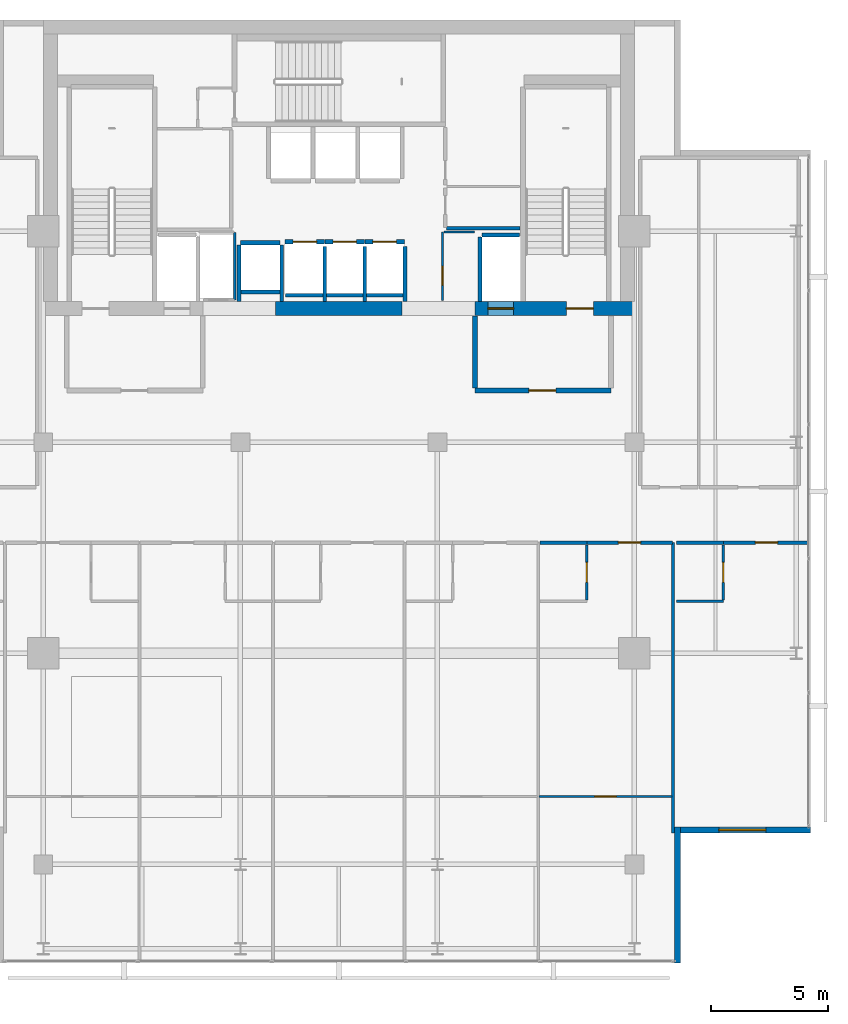
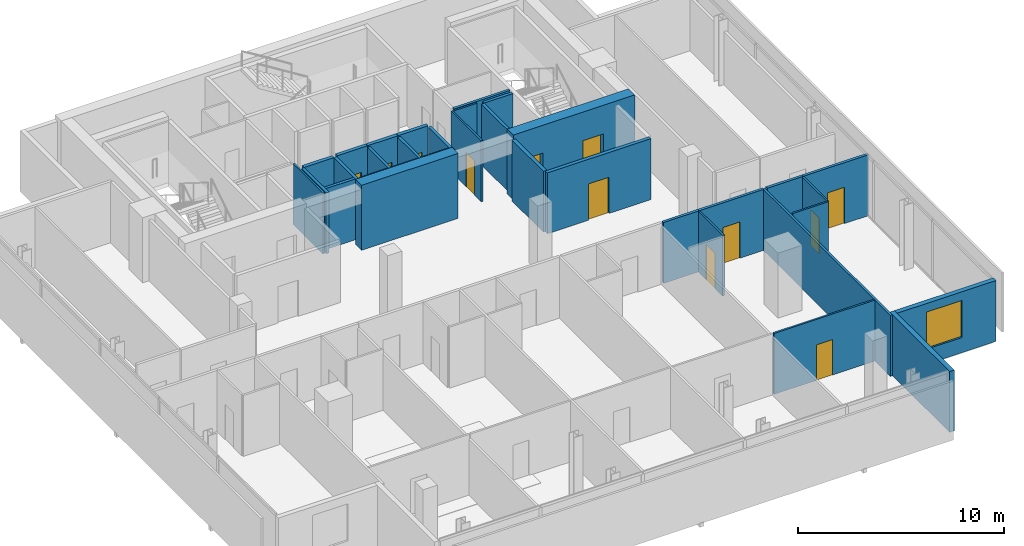
# One storey, part 18 of 24: 32 walls, 12 doors, 1 window, 13 openings.
"""IFC4 building model written with IfcOpenShell, lengths in metres."""

import ifcopenshell
import ifcopenshell.guid

model = None  # the IFC model being written
_history = None  # IfcOwnerHistory: only IFC2X3 demands one
_inside = {}  # id of a spatial element -> (the spatial element, [elements in it])
_under = {}  # id of a project, library or spatial element -> (it, [spatial elements below it])
_declared = {}  # id of a project -> (the project, [libraries it declares])
_typed = {}  # id of a type object -> (the type object, [elements of that type])
_made_of = {}  # id of a material, layer set ... -> (it, [elements and type objects made of it])


def new_model(schema):
    """Start an empty IFC model of exactly this schema.

    Asked for "IFC4X3", IfcOpenShell would pick the latest addendum, in which some entities
    have other attributes; the version numbers below select the first issue.
    IFC2X3 requires an IfcOwnerHistory on every rooted entity: one is made here for all.
    """
    global model, _history
    if schema == "IFC4X3":
        model = ifcopenshell.file(schema_version=(4, 3, 0, 0))
    else:
        model = ifcopenshell.file(schema=schema)
    _inside.clear()
    _under.clear()
    _declared.clear()
    _typed.clear()
    _made_of.clear()
    _history = None
    if model.schema == "IFC2X3":
        org = make("IfcOrganization", Name="unknown")
        user = make(
            "IfcPersonAndOrganization",
            ThePerson=make("IfcPerson", FamilyName="unknown"),
            TheOrganization=org,
        )
        app = make(
            "IfcApplication",
            ApplicationDeveloper=org,
            Version="unknown",
            ApplicationFullName="unknown",
            ApplicationIdentifier="unknown",
        )
        _history = make(
            "IfcOwnerHistory",
            OwningUser=user,
            OwningApplication=app,
            ChangeAction="ADDED",
            CreationDate=0,
        )
    return model


def make(cls, **values):
    """One entity of the class cls with the attributes given. An attribute that is None is left unset."""
    return model.create_entity(
        cls, **{name: value for name, value in values.items() if value is not None}
    )


def rooted(cls, **values):
    """An entity with a GlobalId (a new one), such as an element, a storey or a relation."""
    return make(cls, GlobalId=ifcopenshell.guid.new(), OwnerHistory=_history, **values)


def si_unit(unit_type, name, prefix=None):
    """IfcSIUnit, for example si_unit("LENGTHUNIT", "METRE", prefix="MILLI")."""
    return make("IfcSIUnit", UnitType=unit_type, Prefix=prefix, Name=name)


def assignment(units):
    """IfcUnitAssignment: the units of a project."""
    return None if units is None else make("IfcUnitAssignment", Units=units)


def point(xyz):
    """IfcCartesianPoint."""
    return None if xyz is None else make("IfcCartesianPoint", Coordinates=xyz)


def direction(xyz):
    """IfcDirection."""
    return None if xyz is None else make("IfcDirection", DirectionRatios=xyz)


def frame(location, z_axis=None, x_axis=None):
    """IfcAxis2Placement3D, a coordinate frame: its origin and axes. An axis left out is left unset."""
    return make(
        "IfcAxis2Placement3D",
        Location=point(location),
        Axis=direction(z_axis),
        RefDirection=direction(x_axis),
    )


def frame_2d(location, x_axis=None):
    """IfcAxis2Placement2D, a coordinate frame in the plane: its origin and x axis."""
    return make(
        "IfcAxis2Placement2D", Location=point(location), RefDirection=direction(x_axis)
    )


def origin():
    """The frame at (0, 0, 0) with its axes left unset."""
    return frame((0.0, 0.0, 0.0))


def place(relative_to, where):
    """IfcLocalPlacement: puts the frame where relative to a parent placement (None: the world)."""
    return make(
        "IfcLocalPlacement", PlacementRelTo=relative_to, RelativePlacement=where
    )


def context(
    kind, dimensions, precision=None, world=None, true_north=None, identifier=None
):
    """IfcGeometricRepresentationContext, for example the 3D "Model" context."""
    return make(
        "IfcGeometricRepresentationContext",
        ContextIdentifier=identifier,
        ContextType=kind,
        CoordinateSpaceDimension=dimensions,
        Precision=precision,
        WorldCoordinateSystem=world,
        TrueNorth=true_north,
    )


def subcontext(parent, identifier, kind, view, scale=None):
    """IfcGeometricRepresentationSubContext, for example "Body" below "Model"."""
    return make(
        "IfcGeometricRepresentationSubContext",
        ContextIdentifier=identifier,
        ContextType=kind,
        ParentContext=parent,
        TargetScale=scale,
        TargetView=view,
    )


def project(units=None, contexts=None):
    """IfcProject with its units and contexts."""
    return rooted(
        "IfcProject",
        Name="project",
        RepresentationContexts=contexts,
        UnitsInContext=assignment(units),
    )


def spatial(cls, under=None, at=None, **own):
    """A site, building, storey or space (cls), placed at a placement, below another one or the project."""
    s = rooted(cls, ObjectPlacement=at, **own)
    if under is not None:
        _under.setdefault(under.id(), (under, []))[1].append(s)
    return s


def profile(cls, at=None, kind="AREA", **sizes):
    """A parametric profile (cls). Its sizes go by their IFC names, for example OverallWidth=200.0."""
    return make(cls, ProfileType=kind, Position=at, **sizes)


def rectangle(**sizes):
    """IfcRectangleProfileDef."""
    return profile("IfcRectangleProfileDef", **sizes)


def extrude(swept, where, along, depth):
    """IfcExtrudedAreaSolid: the profile swept, set in the frame where, extruded along a direction by depth."""
    return make(
        "IfcExtrudedAreaSolid",
        SweptArea=swept,
        Position=where,
        ExtrudedDirection=direction(along),
        Depth=depth,
    )


def shape(context_of_items, identifier, shape_type, items):
    """IfcShapeRepresentation: the items that make up one representation, for example the "Body"."""
    return make(
        "IfcShapeRepresentation",
        ContextOfItems=context_of_items,
        RepresentationIdentifier=identifier,
        RepresentationType=shape_type,
        Items=items,
    )


def material(Name=None, Category=None):
    """IfcMaterial."""
    return make("IfcMaterial", Name=Name, Category=Category)


def layer(
    of_material, thickness, ventilated=None, Name=None, Category=None, Priority=None
):
    """IfcMaterialLayer: one layer of a wall or slab, of a material (None: an air gap)."""
    return make(
        "IfcMaterialLayer",
        Material=of_material,
        LayerThickness=thickness,
        IsVentilated=ventilated,
        Name=Name,
        Category=Category,
        Priority=Priority,
    )


def layer_set(layers, Name=None):
    """IfcMaterialLayerSet."""
    return make("IfcMaterialLayerSet", MaterialLayers=layers, LayerSetName=Name)


def made_of(thing, what):
    """Note that an element or type object is made of a material, layer set ...; save() writes the relation."""
    if what is not None:
        _made_of.setdefault(what.id(), (what, []))[1].append(thing)
    return thing


def type_object(cls, material=None, **own):
    """A type object (cls), such as IfcWallType, which elements share."""
    return made_of(rooted(cls, **own), material)


def element(
    cls,
    number,
    at=None,
    inside=None,
    cuts=None,
    type_object=None,
    material=None,
    context=None,
    identifier="Body",
    shape_type=None,
    held_by="IfcProductDefinitionShape",
    body=None,
    shapes=None,
    **own,
):
    """One element of the class cls, such as IfcWall. Its Tag is "e" and its number.

    at: its placement. inside: the storey or other place that contains it. cuts: it is an
    opening in that element (IfcRelVoidsElement). A single representation is given by context,
    identifier, shape_type and body (its items); several are given by shapes. held_by: the class
    of the entity that holds the representations. save() writes the other relations.
    """
    e = rooted(cls, Tag="e%d" % number, ObjectPlacement=at, **own)
    if body is not None:
        shapes = [shape(context, identifier, shape_type, body)]
    if shapes is not None:
        e.Representation = make(held_by, Representations=shapes)
    if inside is not None:
        _inside.setdefault(inside.id(), (inside, []))[1].append(e)
    if cuts is not None:
        rooted(
            "IfcRelVoidsElement", RelatingBuildingElement=cuts, RelatedOpeningElement=e
        )
    if type_object is not None:
        _typed.setdefault(type_object.id(), (type_object, []))[1].append(e)
    return made_of(e, material)


def fill(opening, filler):
    """IfcRelFillsElement: the door or window that sits in an opening."""
    return rooted(
        "IfcRelFillsElement",
        RelatingOpeningElement=opening,
        RelatedBuildingElement=filler,
    )


def aggregate(whole, parts):
    """IfcRelAggregates: a whole, such as a stair, and the parts it consists of."""
    return rooted("IfcRelAggregates", RelatingObject=whole, RelatedObjects=parts)


def save(model, path):
    """Write the relations noted so far, then the file.

    IfcRelAggregates (storeys below a building ...), IfcRelContainedInSpatialStructure (elements
    in a storey), IfcRelDefinesByType, IfcRelAssociatesMaterial and IfcRelDeclares: one each for
    every whole, place, type object, material and project.
    """
    for whole, parts in _under.values():
        aggregate(whole, parts)
    for where, things in _inside.values():
        rooted(
            "IfcRelContainedInSpatialStructure",
            RelatedElements=things,
            RelatingStructure=where,
        )
    for kind, things in _typed.values():
        rooted("IfcRelDefinesByType", RelatedObjects=things, RelatingType=kind)
    for what, things in _made_of.values():
        rooted("IfcRelAssociatesMaterial", RelatedObjects=things, RelatingMaterial=what)
    for by, libraries in _declared.values():
        rooted("IfcRelDeclares", RelatingContext=by, RelatedDefinitions=libraries)
    model.write(path)


model = new_model("IFC4")

# Units and contexts
model_context = context("Model", 3, precision=1e-05, world=origin(), true_north=direction((0.0, 1.0)))
body_context = subcontext(model_context, "Body", "Model", "MODEL_VIEW")
ifc_project = project(units=[si_unit("LENGTHUNIT", "METRE"), si_unit("AREAUNIT", "SQUARE_METRE"), si_unit("VOLUMEUNIT", "CUBIC_METRE"), si_unit("PLANEANGLEUNIT", "RADIAN"), si_unit("MASSUNIT", "GRAM", prefix="KILO")], contexts=[model_context])

# Site, building, storey
site_placement = place(None, origin())
site = spatial("IfcSite", under=ifc_project, at=site_placement, CompositionType="ELEMENT")
building_placement = place(site_placement, origin())
building = spatial("IfcBuilding", under=site, at=building_placement, Name="Maruvema Waterfront Hotel and Observation Tower", CompositionType="ELEMENT")
storey_placement = place(building_placement, frame((0.0, 0.0, 333.550048828125)))
storey = spatial("IfcBuildingStorey", under=building, at=storey_placement, Name="L82", CompositionType="ELEMENT", Elevation=333.550048828125)

# Walls
ifc_material_1 = material(Name="Twin-stud acoustic gypsum drywall", Category="gypsum")
ifc_layer_1 = layer(ifc_material_1, 0.14990234375, Name="Acoustic Corridor and Suite Demising Wall 150 mm")
ifc_layer_set_1 = layer_set([ifc_layer_1], Name="Twin-stud acoustic gypsum drywall")
wall_type_1 = type_object("IfcWallType", Name="Acoustic Corridor and Suite Demising Wall 150 mm", PredefinedType="PARTITIONING", material=ifc_layer_set_1)
wall_1_placement = place(storey_placement, frame((42.3798828125, 45.1201171875, 0.0), z_axis=(0.0, 0.0, 1.0), x_axis=(1.0, 0.0, 0.0)))
element("IfcWall", 1, at=wall_1_placement, inside=storey, type_object=wall_type_1, Name="L82 Freed B2 South Wall 020", PredefinedType="PARTITIONING", context=body_context, shape_type="SweptSolid", body=[
    extrude(rectangle(XDim=3.14013671875, YDim=0.14990234375, at=frame_2d((1.570068359375, 0.0))), origin(), (0.0, 0.0, 1.0), 3.60986328125),
])
wall_2_placement = place(storey_placement, frame((46.3798828125, 31.719970703125, 0.0), z_axis=(0.0, 0.0, 1.0), x_axis=(1.0, 0.0, 0.0)))
element("IfcWall", 2, at=wall_2_placement, inside=storey, type_object=wall_type_1, Name="L82 Bath L82-SK5 Back Wall 059", PredefinedType="PARTITIONING", context=body_context, shape_type="SweptSolid", body=[
    extrude(rectangle(XDim=1.990234375, YDim=0.14990234375, at=frame_2d((0.9951171875, 0.0))), origin(), (0.0, 0.0, 1.0), 3.60986328125),
])

# Wall, opening, door
wall_3_placement = place(storey_placement, frame((48.3701171875, 31.719970703125, 0.0), z_axis=(0.0, 0.0, 1.0), x_axis=(1.0, 0.0, 0.0)))
wall_3 = element("IfcWall", 3, at=wall_3_placement, inside=storey, type_object=wall_type_1, Name="L82 Unit L82-SK5 Corridor Wall 062", PredefinedType="PARTITIONING", context=body_context, shape_type="SweptSolid", body=[
    extrude(rectangle(XDim=3.6474609375, YDim=0.14990234375, at=frame_2d((1.82373046875, 0.0))), origin(), (0.0, 0.0, 1.0), 3.60986328125),
])
opening_1_placement = place(wall_3_placement, frame((1.348876953125, 0.0, 0.0)))
opening_1 = element("IfcOpeningElement", 4, at=opening_1_placement, cuts=wall_3, Name="Opening DR-095", PredefinedType="OPENING", context=body_context, shape_type="SweptSolid", body=[
    extrude(rectangle(XDim=0.949951171875, YDim=2.14990234375, at=frame_2d((0.47509765625, 1.074951171875))), frame((0.0, 0.0849609375, 0.0), z_axis=(0.0, -1.0, 0.0), x_axis=(1.0, 0.0, 0.0)), (0.0, 0.0, 1.0), 0.169921875),
])
ifc_material_2 = material(Name="Acoustic solid-core hardwood timber leaf", Category="wood")
door_type_1 = type_object("IfcDoorType", Name="Guestroom Entrance Fire Door 950x2150 mm", OperationType="NOTDEFINED", PredefinedType="DOOR", material=ifc_material_2)
door_1_placement = place(opening_1_placement, frame((0.949951171875, 0.0, 0.0), z_axis=(0.0, 0.0, 1.0), x_axis=(-1.0, 0.0, 0.0)))
door_1 = element("IfcDoor", 5, at=door_1_placement, inside=storey, type_object=door_type_1, Name="L82 Unit L82-SK5 Entrance Door", OperationType="SINGLE_SWING_LEFT", OverallHeight=2.14990234375, OverallWidth=0.949951171875, PredefinedType="DOOR", context=body_context, shape_type="SweptSolid", body=[
    extrude(rectangle(XDim=0.949951171875, YDim=2.14990234375, at=frame_2d((0.47509765625, 1.074951171875))), frame((0.0, 0.02490234375, 0.0), z_axis=(0.0, -1.0, 0.0), x_axis=(1.0, 0.0, 0.0)), (0.0, 0.0, 1.0), 0.050048828125),
])
fill(opening_1, door_1)

# Wall
wall_4_placement = place(storey_placement, frame((52.18994140625, 31.719970703125, 0.0), z_axis=(0.0, 0.0, 1.0), x_axis=(1.0, 0.0, 0.0)))
element("IfcWall", 6, at=wall_4_placement, inside=storey, type_object=wall_type_1, Name="L82 Bath L82-SKE Back Wall 068", PredefinedType="PARTITIONING", context=body_context, shape_type="SweptSolid", body=[
    extrude(rectangle(XDim=2.0, YDim=0.14990234375, at=frame_2d((1.0, 0.0))), origin(), (0.0, 0.0, 1.0), 3.60986328125),
])

# Wall, opening, door
wall_5_placement = place(storey_placement, frame((54.18994140625, 31.719970703125, 0.0), z_axis=(0.0, 0.0, 1.0), x_axis=(1.0, 0.0, 0.0)))
wall_5 = element("IfcWall", 7, at=wall_5_placement, inside=storey, type_object=wall_type_1, Name="L82 Unit L82-SKE Corridor Wall 071", PredefinedType="PARTITIONING", context=body_context, shape_type="SweptSolid", body=[
    extrude(rectangle(XDim=3.68017578125, YDim=0.14990234375, at=frame_2d((1.840087890625, 0.0))), origin(), (0.0, 0.0, 1.0), 3.60986328125),
])
opening_2_placement = place(wall_5_placement, frame((1.364990234375, 0.0, 0.0)))
opening_2 = element("IfcOpeningElement", 8, at=opening_2_placement, cuts=wall_5, Name="Opening DR-095", PredefinedType="OPENING", context=body_context, shape_type="SweptSolid", body=[
    extrude(rectangle(XDim=0.949951171875, YDim=2.14990234375, at=frame_2d((0.47509765625, 1.074951171875))), frame((0.0, 0.0849609375, 0.0), z_axis=(0.0, -1.0, 0.0), x_axis=(1.0, 0.0, 0.0)), (0.0, 0.0, 1.0), 0.169921875),
])
door_2_placement = place(opening_2_placement, frame((0.949951171875, 0.0, 0.0), z_axis=(0.0, 0.0, 1.0), x_axis=(-1.0, 0.0, 0.0)))
door_2 = element("IfcDoor", 9, at=door_2_placement, inside=storey, type_object=door_type_1, Name="L82 Unit L82-SKE Entrance Door", OperationType="SINGLE_SWING_RIGHT", OverallHeight=2.14990234375, OverallWidth=0.949951171875, PredefinedType="DOOR", context=body_context, shape_type="SweptSolid", body=[
    extrude(rectangle(XDim=0.949951171875, YDim=2.14990234375, at=frame_2d((0.47509765625, 1.074951171875))), frame((0.0, 0.02490234375, 0.0), z_axis=(0.0, -1.0, 0.0), x_axis=(1.0, 0.0, 0.0)), (0.0, 0.0, 1.0), 0.050048828125),
])
fill(opening_2, door_2)

ifc_material_3 = material(Name="Precast concrete C45/55", Category="concrete")
ifc_layer_2 = layer(ifc_material_3, 0.199951171875, Name="Core Shaft and Stairwell Enclosure Wall 200 mm")
ifc_layer_set_2 = layer_set([ifc_layer_2], Name="Precast concrete C45/55")
wall_type_2 = type_object("IfcWallType", Name="Core Shaft and Stairwell Enclosure Wall 200 mm", PredefinedType="SOLIDWALL", material=ifc_layer_set_2)
wall_6_placement = place(storey_placement, frame((35.510009765625, 44.550048828125, 0.0), z_axis=(0.0, 0.0, 1.0), x_axis=(1.0, 0.0, 0.0)))
wall_6 = element("IfcWall", 10, at=wall_6_placement, inside=storey, type_object=wall_type_2, Name="L82 Lift LF-09 Hoistway Front Wall", PredefinedType="SOLIDWALL", context=body_context, shape_type="SweptSolid", body=[
    extrude(rectangle(XDim=1.679931640625, YDim=0.199951171875, at=frame_2d((0.83984375, 0.0))), origin(), (0.0, 0.0, 1.0), 3.60986328125),
])
opening_3_placement = place(wall_6_placement, frame((0.340087890625, 0.0, 0.0)))
opening_3 = element("IfcOpeningElement", 11, at=opening_3_placement, cuts=wall_6, Name="Opening LD-01", PredefinedType="OPENING", context=body_context, shape_type="SweptSolid", body=[
    extrude(rectangle(XDim=1.0, YDim=2.14990234375, at=frame_2d((0.5, 1.074951171875))), frame((0.0, 0.10986328125, 0.0), z_axis=(0.0, -1.0, 0.0), x_axis=(1.0, 0.0, 0.0)), (0.0, 0.0, 1.0), 0.219970703125),
])
ifc_material_4 = material(Name="Brushed stainless steel Grade 316", Category="steel")
door_type_2 = type_object("IfcDoorType", Name="Passenger Lift Sliding Landing Door 1000x2150 mm", OperationType="SLIDING_TO_LEFT", PredefinedType="DOOR", material=ifc_material_4)
door_3_placement = place(opening_3_placement, origin())
door_3 = element("IfcDoor", 12, at=door_3_placement, inside=storey, type_object=door_type_2, Name="L82 Lift LF-09 Sliding Landing Door", OperationType="SLIDING_TO_LEFT", OverallHeight=2.14990234375, OverallWidth=1.0, PredefinedType="DOOR", context=body_context, shape_type="SweptSolid", body=[
    extrude(rectangle(XDim=1.0, YDim=2.14990234375, at=frame_2d((0.5, 1.074951171875))), frame((0.0, 0.02490234375, 0.0), z_axis=(0.0, -1.0, 0.0), x_axis=(1.0, 0.0, 0.0)), (0.0, 0.0, 1.0), 0.050048828125),
])
fill(opening_3, door_3)

wall_7_placement = place(storey_placement, frame((37.2099609375, 44.550048828125, 0.0), z_axis=(0.0, 0.0, 1.0), x_axis=(1.0, 0.0, 0.0)))
wall_7 = element("IfcWall", 13, at=wall_7_placement, inside=storey, type_object=wall_type_2, Name="L82 Lift LF-10 Hoistway Front Wall", PredefinedType="SOLIDWALL", context=body_context, shape_type="SweptSolid", body=[
    extrude(rectangle(XDim=1.679931640625, YDim=0.199951171875, at=frame_2d((0.83984375, 0.0))), origin(), (0.0, 0.0, 1.0), 3.60986328125),
])
opening_4_placement = place(wall_7_placement, frame((0.340087890625, 0.0, 0.0)))
opening_4 = element("IfcOpeningElement", 14, at=opening_4_placement, cuts=wall_7, Name="Opening LD-01", PredefinedType="OPENING", context=body_context, shape_type="SweptSolid", body=[
    extrude(rectangle(XDim=1.0, YDim=2.14990234375, at=frame_2d((0.5, 1.074951171875))), frame((0.0, 0.10986328125, 0.0), z_axis=(0.0, -1.0, 0.0), x_axis=(1.0, 0.0, 0.0)), (0.0, 0.0, 1.0), 0.219970703125),
])
door_4_placement = place(opening_4_placement, origin())
door_4 = element("IfcDoor", 15, at=door_4_placement, inside=storey, type_object=door_type_2, Name="L82 Lift LF-10 Sliding Landing Door", OperationType="SLIDING_TO_LEFT", OverallHeight=2.14990234375, OverallWidth=1.0, PredefinedType="DOOR", context=body_context, shape_type="SweptSolid", body=[
    extrude(rectangle(XDim=1.0, YDim=2.14990234375, at=frame_2d((0.5, 1.074951171875))), frame((0.0, 0.02490234375, 0.0), z_axis=(0.0, -1.0, 0.0), x_axis=(1.0, 0.0, 0.0)), (0.0, 0.0, 1.0), 0.050048828125),
])
fill(opening_4, door_4)

wall_8_placement = place(storey_placement, frame((38.909912109375, 44.550048828125, 0.0), z_axis=(0.0, 0.0, 1.0), x_axis=(1.0, 0.0, 0.0)))
wall_8 = element("IfcWall", 16, at=wall_8_placement, inside=storey, type_object=wall_type_2, Name="L82 Lift LF-11 Hoistway Front Wall", PredefinedType="SOLIDWALL", context=body_context, shape_type="SweptSolid", body=[
    extrude(rectangle(XDim=1.68017578125, YDim=0.199951171875, at=frame_2d((0.840087890625, 0.0))), origin(), (0.0, 0.0, 1.0), 3.60986328125),
])
opening_5_placement = place(wall_8_placement, frame((0.340087890625, 0.0, 0.0)))
opening_5 = element("IfcOpeningElement", 17, at=opening_5_placement, cuts=wall_8, Name="Opening LD-01", PredefinedType="OPENING", context=body_context, shape_type="SweptSolid", body=[
    extrude(rectangle(XDim=1.0, YDim=2.14990234375, at=frame_2d((0.5, 1.074951171875))), frame((0.0, 0.10986328125, 0.0), z_axis=(0.0, -1.0, 0.0), x_axis=(1.0, 0.0, 0.0)), (0.0, 0.0, 1.0), 0.219970703125),
])
door_5_placement = place(opening_5_placement, origin())
door_5 = element("IfcDoor", 18, at=door_5_placement, inside=storey, type_object=door_type_2, Name="L82 Lift LF-11 Sliding Landing Door", OperationType="SLIDING_TO_LEFT", OverallHeight=2.14990234375, OverallWidth=1.0, PredefinedType="DOOR", context=body_context, shape_type="SweptSolid", body=[
    extrude(rectangle(XDim=1.0, YDim=2.14990234375, at=frame_2d((0.5, 1.074951171875))), frame((0.0, 0.02490234375, 0.0), z_axis=(0.0, -1.0, 0.0), x_axis=(1.0, 0.0, 0.0)), (0.0, 0.0, 1.0), 0.050048828125),
])
fill(opening_5, door_5)

# Walls
wall_9_placement = place(storey_placement, frame((33.610107421875, 44.5, 0.0), z_axis=(0.0, 0.0, 1.0), x_axis=(1.0, 0.0, 0.0)))
element("IfcWall", 19, at=wall_9_placement, inside=storey, type_object=wall_type_2, Name="L82 Lift LF-15 Hoistway Front Wall", PredefinedType="SOLIDWALL", context=body_context, shape_type="SweptSolid", body=[
    extrude(rectangle(XDim=1.679931640625, YDim=0.199951171875, at=frame_2d((0.83984375, 0.0))), origin(), (0.0, 0.0, 1.0), 3.60986328125),
])
ifc_material_5 = material(Name="Concrete C60/75", Category="concrete")
ifc_layer_3 = layer(ifc_material_5, 0.60009765625, Name="Core Shear Wall 600 mm")
ifc_layer_set_3 = layer_set([ifc_layer_3], Name="Concrete C60/75")
wall_type_3 = type_object("IfcWallType", Name="Core Shear Wall 600 mm", PredefinedType="SHEAR", material=ifc_layer_set_3)
wall_10_placement = place(storey_placement, frame((35.10009765625, 41.699951171875, 0.0), z_axis=(0.0, 0.0, 1.0), x_axis=(1.0, 0.0, 0.0)))
element("IfcWall", 20, at=wall_10_placement, inside=storey, type_object=wall_type_3, Name="L82 South-Central Core Shear Wall", PredefinedType="SHEAR", context=body_context, shape_type="SweptSolid", body=[
    extrude(rectangle(XDim=5.39990234375, YDim=0.60009765625, at=frame_2d((2.699951171875, 0.0))), origin(), (0.0, 0.0, 1.0), 3.849853515625),
])

# Wall, openings, doors
wall_11_placement = place(storey_placement, frame((43.60009765625, 41.699951171875, 0.0), z_axis=(0.0, 0.0, 1.0), x_axis=(1.0, 0.0, 0.0)))
wall_11 = element("IfcWall", 21, at=wall_11_placement, inside=storey, type_object=wall_type_3, Name="L82 South-East Core Shear Wall", PredefinedType="SHEAR", context=body_context, shape_type="SweptSolid", body=[
    extrude(rectangle(XDim=6.7998046875, YDim=0.60009765625, at=frame_2d((3.39990234375, 0.0))), origin(), (0.0, 0.0, 1.0), 3.849853515625),
])
opening_6_placement = place(wall_11_placement, frame((3.89990234375, 0.0, 0.0)))
opening_6 = element("IfcOpeningElement", 22, at=opening_6_placement, cuts=wall_11, Name="Opening SD-01", PredefinedType="OPENING", context=body_context, shape_type="SweptSolid", body=[
    extrude(rectangle(XDim=1.14990234375, YDim=2.14990234375, at=frame_2d((0.574951171875, 1.074951171875))), frame((0.0, 0.31005859375, 0.0), z_axis=(0.0, -1.0, 0.0), x_axis=(1.0, 0.0, 0.0)), (0.0, 0.0, 1.0), 0.6201171875),
])
opening_7_placement = place(wall_11_placement, frame((0.550048828125, 0.0, 0.0)))
opening_7 = element("IfcOpeningElement", 23, at=opening_7_placement, cuts=wall_11, Name="Opening LD-03", PredefinedType="OPENING", context=body_context, shape_type="SweptSolid", body=[
    extrude(rectangle(XDim=1.10009765625, YDim=2.199951171875, at=frame_2d((0.550048828125, 1.10009765625))), frame((0.0, 0.31005859375, 0.0), z_axis=(0.0, -1.0, 0.0), x_axis=(1.0, 0.0, 0.0)), (0.0, 0.0, 1.0), 0.6201171875),
])
ifc_material_6 = material(Name="Fire-rated galvanised steel leaf", Category="steel")
door_type_3 = type_object("IfcDoorType", Name="Exit Stair Fire Door 1150x2150 mm", OperationType="NOTDEFINED", PredefinedType="DOOR", material=ifc_material_6)
door_6_placement = place(opening_6_placement, origin())
door_6 = element("IfcDoor", 24, at=door_6_placement, inside=storey, type_object=door_type_3, Name="L82 Exit Stair ST-03 Fire Door", OperationType="SINGLE_SWING_RIGHT", OverallHeight=2.14990234375, OverallWidth=1.14990234375, PredefinedType="DOOR", context=body_context, shape_type="SweptSolid", body=[
    extrude(rectangle(XDim=1.14990234375, YDim=2.14990234375, at=frame_2d((0.574951171875, 1.074951171875))), frame((0.0, 0.02490234375, 0.0), z_axis=(0.0, -1.0, 0.0), x_axis=(1.0, 0.0, 0.0)), (0.0, 0.0, 1.0), 0.050048828125),
])
fill(opening_6, door_6)
ifc_material_7 = material(Name="Brushed stainless steel Grade 316", Category="steel")
door_type_4 = type_object("IfcDoorType", Name="Firefighting Lift Sliding Landing Door 1100x2200 mm", OperationType="SLIDING_TO_LEFT", PredefinedType="DOOR", material=ifc_material_7)
door_7_placement = place(opening_7_placement, frame((1.10009765625, 0.0, 0.0), z_axis=(0.0, 0.0, 1.0), x_axis=(-1.0, 0.0, 0.0)))
door_7 = element("IfcDoor", 25, at=door_7_placement, inside=storey, type_object=door_type_4, Name="L82 Firefighting Lift FL-02 Landing Door", OperationType="SLIDING_TO_LEFT", OverallHeight=2.199951171875, OverallWidth=1.10009765625, PredefinedType="DOOR", context=body_context, shape_type="SweptSolid", body=[
    extrude(rectangle(XDim=1.10009765625, YDim=2.199951171875, at=frame_2d((0.550048828125, 1.10009765625))), frame((0.0, 0.02490234375, 0.0), z_axis=(0.0, -1.0, 0.0), x_axis=(1.0, 0.0, 0.0)), (0.0, 0.0, 1.0), 0.050048828125),
])
fill(opening_7, door_7)

# Wall
ifc_material_8 = material(Name="Moisture-resistant cement-board drywall", Category="gypsum")
ifc_layer_4 = layer(ifc_material_8, 0.10009765625, Name="En-Suite Moisture-Resistant Partition 100 mm")
ifc_layer_set_4 = layer_set([ifc_layer_4], Name="Moisture-resistant cement-board drywall")
wall_type_4 = type_object("IfcWallType", Name="En-Suite Moisture-Resistant Partition 100 mm", PredefinedType="PARTITIONING", material=ifc_layer_set_4)
wall_12_placement = place(storey_placement, frame((33.360107421875, 42.06005859375, 0.0), z_axis=(0.0, 0.0, 1.0), x_axis=(0.0, 1.0, 0.0)))
element("IfcWall", 26, at=wall_12_placement, inside=storey, type_object=wall_type_4, Name="L82 Telecom Riser East Wall 009", PredefinedType="PARTITIONING", context=body_context, shape_type="SweptSolid", body=[
    extrude(rectangle(XDim=2.8798828125, YDim=0.10009765625, at=frame_2d((1.43994140625, 0.0))), origin(), (0.0, 0.0, 1.0), 3.60986328125),
])

# Wall, opening, door
wall_13_placement = place(storey_placement, frame((42.219970703125, 42.050048828125, 0.0), z_axis=(0.0, 0.0, 1.0), x_axis=(0.0, 1.0, 0.0)))
wall_13 = element("IfcWall", 27, at=wall_13_placement, inside=storey, type_object=wall_type_4, Name="L82 Core Closet K1 West 010", PredefinedType="PARTITIONING", context=body_context, shape_type="SweptSolid", body=[
    extrude(rectangle(XDim=2.909912109375, YDim=0.10009765625, at=frame_2d((1.455078125, 0.0))), origin(), (0.0, 0.0, 1.0), 3.60986328125),
])
opening_8_placement = place(wall_13_placement, frame((0.64990234375, 0.0, 0.0)))
opening_8 = element("IfcOpeningElement", 28, at=opening_8_placement, cuts=wall_13, Name="Opening DR-080", PredefinedType="OPENING", context=body_context, shape_type="SweptSolid", body=[
    extrude(rectangle(XDim=0.800048828125, YDim=2.050048828125, at=frame_2d((0.39990234375, 1.02490234375))), frame((0.0, 0.06005859375, 0.0), z_axis=(0.0, -1.0, 0.0), x_axis=(1.0, 0.0, 0.0)), (0.0, 0.0, 1.0), 0.1201171875),
])
ifc_material_9 = material(Name="Powder-coated steel access leaf", Category="steel")
door_type_5 = type_object("IfcDoorType", Name="Riser and Service Cupboard Door 800x2050 mm", OperationType="NOTDEFINED", PredefinedType="DOOR", material=ifc_material_9)
door_8_placement = place(opening_8_placement, frame((0.800048828125, 0.0, 0.0), z_axis=(0.0, 0.0, 1.0), x_axis=(-1.0, 0.0, 0.0)))
door_8 = element("IfcDoor", 29, at=door_8_placement, inside=storey, type_object=door_type_5, Name="L82 Core Cleaning Store Door", OperationType="SINGLE_SWING_LEFT", OverallHeight=2.050048828125, OverallWidth=0.800048828125, PredefinedType="DOOR", context=body_context, shape_type="SweptSolid", body=[
    extrude(rectangle(XDim=0.800048828125, YDim=2.050048828125, at=frame_2d((0.39990234375, 1.02490234375))), frame((0.0, 0.02490234375, 0.0), z_axis=(0.0, -1.0, 0.0), x_axis=(1.0, 0.0, 0.0)), (0.0, 0.0, 1.0), 0.050048828125),
])
fill(opening_8, door_8)

# Wall
wall_14_placement = place(storey_placement, frame((42.280029296875, 44.9599609375, 0.0), z_axis=(0.0, 0.0, 1.0), x_axis=(1.0, 0.0, 0.0)))
element("IfcWall", 30, at=wall_14_placement, inside=storey, type_object=wall_type_4, Name="L82 Core Closet K1 North 011", PredefinedType="PARTITIONING", context=body_context, shape_type="SweptSolid", body=[
    extrude(rectangle(XDim=1.300048828125, YDim=0.10009765625, at=frame_2d((0.64990234375, 0.0))), origin(), (0.0, 0.0, 1.0), 3.60986328125),
])

# Wall, opening, door
wall_15_placement = place(storey_placement, frame((48.3701171875, 29.280029296875, 0.0), z_axis=(0.0, 0.0, 1.0), x_axis=(0.0, 1.0, 0.0)))
wall_15 = element("IfcWall", 31, at=wall_15_placement, inside=storey, type_object=wall_type_4, Name="L82 En-Suite L82-SK5 East 061", PredefinedType="PARTITIONING", context=body_context, shape_type="SweptSolid", body=[
    extrude(rectangle(XDim=2.340087890625, YDim=0.10009765625, at=frame_2d((1.169921875, 0.0))), origin(), (0.0, 0.0, 1.0), 3.60986328125),
])
opening_9_placement = place(wall_15_placement, frame((0.7451171875, 0.0, 0.0)))
opening_9 = element("IfcOpeningElement", 32, at=opening_9_placement, cuts=wall_15, Name="Opening DR-085", PredefinedType="OPENING", context=body_context, shape_type="SweptSolid", body=[
    extrude(rectangle(XDim=0.85009765625, YDim=2.10009765625, at=frame_2d((0.425048828125, 1.050048828125))), frame((0.0, 0.06005859375, 0.0), z_axis=(0.0, -1.0, 0.0), x_axis=(1.0, 0.0, 0.0)), (0.0, 0.0, 1.0), 0.1201171875),
])
ifc_material_10 = material(Name="Moisture-resistant solid timber leaf", Category="wood")
door_type_6 = type_object("IfcDoorType", Name="En-Suite Bathroom Door 850x2100 mm", OperationType="NOTDEFINED", PredefinedType="DOOR", material=ifc_material_10)
door_9_placement = place(opening_9_placement, frame((0.85009765625, 0.0, 0.0), z_axis=(0.0, 0.0, 1.0), x_axis=(-1.0, 0.0, 0.0)))
door_9 = element("IfcDoor", 33, at=door_9_placement, inside=storey, type_object=door_type_6, Name="L82 En-Suite L82-SK5 Door", OperationType="SINGLE_SWING_RIGHT", OverallHeight=2.10009765625, OverallWidth=0.85009765625, PredefinedType="DOOR", context=body_context, shape_type="SweptSolid", body=[
    extrude(rectangle(XDim=0.85009765625, YDim=2.10009765625, at=frame_2d((0.425048828125, 1.050048828125))), frame((0.0, 0.02490234375, 0.0), z_axis=(0.0, -1.0, 0.0), x_axis=(1.0, 0.0, 0.0)), (0.0, 0.0, 1.0), 0.050048828125),
])
fill(opening_9, door_9)

wall_16_placement = place(storey_placement, frame((46.340087890625, 20.893310546875, 0.0), z_axis=(0.0, 0.0, 1.0), x_axis=(1.0, 0.0, 0.0)))
wall_16 = element("IfcWall", 34, at=wall_16_placement, inside=storey, type_object=wall_type_4, Name="L82 Suite L82-SK5 Split 063", PredefinedType="PARTITIONING", context=body_context, shape_type="SweptSolid", body=[
    extrude(rectangle(XDim=5.657470703125, YDim=0.10009765625, at=frame_2d((2.82861328125, 0.0))), origin(), (0.0, 0.0, 1.0), 3.60986328125),
])
opening_10_placement = place(wall_16_placement, frame((2.378662109375, 0.0, 0.0)))
opening_10 = element("IfcOpeningElement", 35, at=opening_10_placement, cuts=wall_16, Name="Opening DR-090", PredefinedType="OPENING", context=body_context, shape_type="SweptSolid", body=[
    extrude(rectangle(XDim=0.89990234375, YDim=2.10009765625, at=frame_2d((0.449951171875, 1.050048828125))), frame((0.0, 0.06005859375, 0.0), z_axis=(0.0, -1.0, 0.0), x_axis=(1.0, 0.0, 0.0)), (0.0, 0.0, 1.0), 0.1201171875),
])
ifc_material_11 = material(Name="Solid-core lacquered timber leaf", Category="wood")
door_type_7 = type_object("IfcDoorType", Name="Accessible Toilet and Room Door 900x2100 mm", OperationType="NOTDEFINED", PredefinedType="DOOR", material=ifc_material_11)
door_10_placement = place(opening_10_placement, frame((0.89990234375, 0.0, 0.0), z_axis=(0.0, 0.0, 1.0), x_axis=(-1.0, 0.0, 0.0)))
door_10 = element("IfcDoor", 36, at=door_10_placement, inside=storey, type_object=door_type_7, Name="L82 Suite L82-SK5 Bedroom Door", OperationType="SINGLE_SWING_RIGHT", OverallHeight=2.10009765625, OverallWidth=0.89990234375, PredefinedType="DOOR", context=body_context, shape_type="SweptSolid", body=[
    extrude(rectangle(XDim=0.89990234375, YDim=2.10009765625, at=frame_2d((0.449951171875, 1.050048828125))), frame((0.0, 0.02490234375, 0.0), z_axis=(0.0, -1.0, 0.0), x_axis=(1.0, 0.0, 0.0)), (0.0, 0.0, 1.0), 0.050048828125),
])
fill(opening_10, door_10)

# Wall
wall_17_placement = place(storey_placement, frame((52.18994140625, 29.219970703125, 0.0), z_axis=(0.0, 0.0, 1.0), x_axis=(1.0, 0.0, 0.0)))
element("IfcWall", 37, at=wall_17_placement, inside=storey, type_object=wall_type_4, Name="L82 En-Suite L82-SKE South 069", PredefinedType="PARTITIONING", context=body_context, shape_type="SweptSolid", body=[
    extrude(rectangle(XDim=2.0, YDim=0.10009765625, at=frame_2d((1.0, 0.0))), origin(), (0.0, 0.0, 1.0), 3.60986328125),
])

# Wall, opening, door
wall_18_placement = place(storey_placement, frame((54.18994140625, 29.280029296875, 0.0), z_axis=(0.0, 0.0, 1.0), x_axis=(0.0, 1.0, 0.0)))
wall_18 = element("IfcWall", 38, at=wall_18_placement, inside=storey, type_object=wall_type_4, Name="L82 En-Suite L82-SKE East 070", PredefinedType="PARTITIONING", context=body_context, shape_type="SweptSolid", body=[
    extrude(rectangle(XDim=2.340087890625, YDim=0.10009765625, at=frame_2d((1.169921875, 0.0))), origin(), (0.0, 0.0, 1.0), 3.60986328125),
])
opening_11_placement = place(wall_18_placement, frame((0.7451171875, 0.0, 0.0)))
opening_11 = element("IfcOpeningElement", 39, at=opening_11_placement, cuts=wall_18, Name="Opening DR-085", PredefinedType="OPENING", context=body_context, shape_type="SweptSolid", body=[
    extrude(rectangle(XDim=0.85009765625, YDim=2.10009765625, at=frame_2d((0.425048828125, 1.050048828125))), frame((0.0, 0.06005859375, 0.0), z_axis=(0.0, -1.0, 0.0), x_axis=(1.0, 0.0, 0.0)), (0.0, 0.0, 1.0), 0.1201171875),
])
door_11_placement = place(opening_11_placement, frame((0.85009765625, 0.0, 0.0), z_axis=(0.0, 0.0, 1.0), x_axis=(-1.0, 0.0, 0.0)))
door_11 = element("IfcDoor", 40, at=door_11_placement, inside=storey, type_object=door_type_6, Name="L82 En-Suite L82-SKE Door", OperationType="SINGLE_SWING_LEFT", OverallHeight=2.10009765625, OverallWidth=0.85009765625, PredefinedType="DOOR", context=body_context, shape_type="SweptSolid", body=[
    extrude(rectangle(XDim=0.85009765625, YDim=2.10009765625, at=frame_2d((0.425048828125, 1.050048828125))), frame((0.0, 0.02490234375, 0.0), z_axis=(0.0, -1.0, 0.0), x_axis=(1.0, 0.0, 0.0)), (0.0, 0.0, 1.0), 0.050048828125),
])
fill(opening_11, door_11)

# Wall
ifc_material_12 = material(Name="Precast concrete C45/55 with honed Pernambuco granite facing", Category="masonry")
ifc_layer_5 = layer(ifc_material_12, 0.260009765625, Name="Exterior Granite Clad Spandrel and Pier Wall 260 mm")
ifc_layer_set_5 = layer_set([ifc_layer_5], Name="Precast concrete C45/55 with honed Pernambuco granite facing")
wall_type_5 = type_object("IfcWallType", Name="Exterior Granite Clad Spandrel and Pier Wall 260 mm", PredefinedType="SOLIDWALL", material=ifc_layer_set_5)
wall_19_placement = place(storey_placement, frame((52.22998046875, 19.60009765625, 0.0), z_axis=(0.0, 0.0, 1.0), x_axis=(0.0, -1.0, 0.0)))
element("IfcWall", 41, at=wall_19_placement, inside=storey, type_object=wall_type_5, Name="L82 Corner Notch Granite Pier Wall SE1", PredefinedType="SOLIDWALL", context=body_context, shape_type="SweptSolid", body=[
    extrude(rectangle(XDim=5.800048828125, YDim=0.260009765625, at=frame_2d((2.89990234375, 0.0))), origin(), (0.0, 0.0, 1.0), 3.60986328125),
])

# Wall, opening, window
wall_20_placement = place(storey_placement, frame((57.89990234375, 19.469970703125, 0.0), z_axis=(0.0, 0.0, 1.0), x_axis=(-1.0, 0.0, 0.0)))
wall_20 = element("IfcWall", 42, at=wall_20_placement, inside=storey, type_object=wall_type_5, Name="L82 Corner Notch Granite Pier Wall SE2", PredefinedType="SOLIDWALL", context=body_context, shape_type="SweptSolid", body=[
    extrude(rectangle(XDim=5.7998046875, YDim=0.260009765625, at=frame_2d((2.89990234375, 0.0))), origin(), (0.0, 0.0, 1.0), 3.60986328125),
])
opening_12_placement = place(wall_20_placement, frame((1.89990234375, 0.0, 0.89990234375)))
opening_12 = element("IfcOpeningElement", 43, at=opening_12_placement, cuts=wall_20, Name="Opening WN-03", PredefinedType="OPENING", context=body_context, shape_type="SweptSolid", body=[
    extrude(rectangle(XDim=2.0, YDim=2.199951171875, at=frame_2d((1.0, 1.10009765625))), frame((0.0, 0.14013671875, 0.0), z_axis=(0.0, -1.0, 0.0), x_axis=(1.0, 0.0, 0.0)), (0.0, 0.0, 1.0), 0.280029296875),
])
ifc_material_13 = material(Name="Anodised bronze aluminium frame with laminated low-E glass", Category="aluminium")
window_type = type_object("IfcWindowType", Name="Sky Suite Panoramic Notch Window 2000x2200 mm", PartitioningType="SINGLE_PANEL", PredefinedType="WINDOW", material=ifc_material_13)
window_placement = place(opening_12_placement, origin())
window = element("IfcWindow", 44, at=window_placement, inside=storey, type_object=window_type, Name="L82 Corner Notch Punched Window SE2", OverallHeight=2.199951171875, OverallWidth=2.0, PartitioningType="SINGLE_PANEL", PredefinedType="WINDOW", context=body_context, shape_type="SweptSolid", body=[
    extrude(rectangle(XDim=2.0, YDim=2.199951171875, at=frame_2d((1.0, 1.10009765625))), frame((0.0, 0.030029296875, 0.0), z_axis=(0.0, -1.0, 0.0), x_axis=(1.0, 0.0, 0.0)), (0.0, 0.0, 1.0), 0.06005859375),
])
fill(opening_12, window)

# Wall, opening, door
ifc_material_14 = material(Name="Autoclaved cellular concrete blockwork", Category="masonry")
ifc_layer_6 = layer(ifc_material_14, 0.199951171875, Name="Fire Compartment Masonry Wall 200 mm")
ifc_layer_set_6 = layer_set([ifc_layer_6], Name="Autoclaved cellular concrete blockwork")
wall_type_6 = type_object("IfcWallType", Name="Fire Compartment Masonry Wall 200 mm", PredefinedType="PARTITIONING", material=ifc_layer_set_6)
wall_21_placement = place(storey_placement, frame((43.60009765625, 38.199951171875, 0.0), z_axis=(0.0, 0.0, 1.0), x_axis=(1.0, 0.0, 0.0)))
wall_21 = element("IfcWall", 45, at=wall_21_placement, inside=storey, type_object=wall_type_6, Name="L82 FFL East South Wall 004", PredefinedType="PARTITIONING", context=body_context, shape_type="SweptSolid", body=[
    extrude(rectangle(XDim=5.7998046875, YDim=0.199951171875, at=frame_2d((2.89990234375, 0.0))), origin(), (0.0, 0.0, 1.0), 3.60986328125),
])
opening_13_placement = place(wall_21_placement, frame((2.300048828125, 0.0, 0.0)))
opening_13 = element("IfcOpeningElement", 46, at=opening_13_placement, cuts=wall_21, Name="Opening FD-115", PredefinedType="OPENING", context=body_context, shape_type="SweptSolid", body=[
    extrude(rectangle(XDim=1.14990234375, YDim=2.14990234375, at=frame_2d((0.574951171875, 1.074951171875))), frame((0.0, 0.10986328125, 0.0), z_axis=(0.0, -1.0, 0.0), x_axis=(1.0, 0.0, 0.0)), (0.0, 0.0, 1.0), 0.219970703125),
])
ifc_material_15 = material(Name="Fire-rated galvanised steel and vision glass", Category="steel")
door_type_8 = type_object("IfcDoorType", Name="Firefighting Lobby Fire Door 1150x2150 mm", OperationType="NOTDEFINED", PredefinedType="DOOR", material=ifc_material_15)
door_12_placement = place(opening_13_placement, frame((1.14990234375, 0.0, 0.0), z_axis=(0.0, 0.0, 1.0), x_axis=(-1.0, 0.0, 0.0)))
door_12 = element("IfcDoor", 47, at=door_12_placement, inside=storey, type_object=door_type_8, Name="L82 Firefighting Lobby East Door", OperationType="SINGLE_SWING_LEFT", OverallHeight=2.14990234375, OverallWidth=1.14990234375, PredefinedType="DOOR", context=body_context, shape_type="SweptSolid", body=[
    extrude(rectangle(XDim=1.14990234375, YDim=2.14990234375, at=frame_2d((0.574951171875, 1.074951171875))), frame((0.0, 0.02490234375, 0.0), z_axis=(0.0, -1.0, 0.0), x_axis=(1.0, 0.0, 0.0)), (0.0, 0.0, 1.0), 0.050048828125),
])
fill(opening_13, door_12)

# Walls
wall_22_placement = place(storey_placement, frame((43.60009765625, 38.31005859375, 0.0), z_axis=(0.0, 0.0, 1.0), x_axis=(0.0, 1.0, 0.0)))
element("IfcWall", 48, at=wall_22_placement, inside=storey, type_object=wall_type_6, Name="L82 FFL East West Wall 005", PredefinedType="PARTITIONING", context=body_context, shape_type="SweptSolid", body=[
    extrude(rectangle(XDim=3.06982421875, YDim=0.199951171875, at=frame_2d((1.534912109375, 0.0))), origin(), (0.0, 0.0, 1.0), 3.60986328125),
])
ifc_material_16 = material(Name="Acoustic gypsum plasterboard drywall", Category="gypsum")
ifc_layer_7 = layer(ifc_material_16, 0.125, Name="Guestroom Acoustic Demising Wall 125 mm")
ifc_layer_set_7 = layer_set([ifc_layer_7], Name="Acoustic gypsum plasterboard drywall")
wall_type_7 = type_object("IfcWallType", Name="Guestroom Acoustic Demising Wall 125 mm", PredefinedType="PARTITIONING", material=ifc_layer_set_7)
wall_23_placement = place(storey_placement, frame((52.03759765625, 19.340087890625, 0.0), z_axis=(0.0, 0.0, 1.0), x_axis=(0.0, 1.0, 0.0)))
element("IfcWall", 49, at=wall_23_placement, inside=storey, type_object=wall_type_7, Name="L82 Z4 S East End 034", PredefinedType="PARTITIONING", context=body_context, shape_type="SweptSolid", body=[
    extrude(rectangle(XDim=12.3798828125, YDim=0.125, at=frame_2d((6.18994140625, 0.0))), origin(), (0.0, 0.0, 1.0), 3.60986328125),
])
ifc_material_17 = material(Name="Precast concrete C45/55", Category="concrete")
ifc_layer_8 = layer(ifc_material_17, 0.159912109375, Name="Lift Hoistway Divider Wall 160 mm")
ifc_layer_set_8 = layer_set([ifc_layer_8], Name="Precast concrete C45/55")
wall_type_8 = type_object("IfcWallType", Name="Lift Hoistway Divider Wall 160 mm", PredefinedType="SOLIDWALL", material=ifc_layer_set_8)
wall_24_placement = place(storey_placement, frame((43.89990234375, 44.830078125, 0.0), z_axis=(0.0, 0.0, 1.0), x_axis=(1.0, 0.0, 0.0)))
element("IfcWall", 50, at=wall_24_placement, inside=storey, type_object=wall_type_8, Name="L82 Lift FL-02 Rear Hoistway Wall", PredefinedType="SOLIDWALL", context=body_context, shape_type="SweptSolid", body=[
    extrude(rectangle(XDim=1.60009765625, YDim=0.159912109375, at=frame_2d((0.800048828125, 0.0))), origin(), (0.0, 0.0, 1.0), 3.60986328125),
])
wall_25_placement = place(storey_placement, frame((43.820068359375, 42.0, 0.0), z_axis=(0.0, 0.0, 1.0), x_axis=(0.0, 1.0, 0.0)))
element("IfcWall", 51, at=wall_25_placement, inside=storey, type_object=wall_type_8, Name="L82 Lift FL-02 Inner Hoistway Wall", PredefinedType="SOLIDWALL", context=body_context, shape_type="SweptSolid", body=[
    extrude(rectangle(XDim=2.739990234375, YDim=0.159912109375, at=frame_2d((1.3701171875, 0.0))), origin(), (0.0, 0.0, 1.0), 3.60986328125),
])
for number, where, z_axis, x_axis, name in (
    (52, (37.199951171875, 42.0, 0.0), (0.0, 0.0, 1.0), (0.0, 1.0, 0.0), "L82 Hoistway Divider Wall"),
    (53, (38.89990234375, 42.0, 0.0), (0.0, 0.0, 1.0), (0.0, 1.0, 0.0), "L82 Hoistway Divider Wall"),
    (54, (40.6201171875, 42.0, 0.0), (0.0, 0.0, 1.0), (0.0, 1.0, 0.0), "L82 Hoistway Divider Wall"),
):
    element("IfcWall", number, at=place(storey_placement, frame(where, z_axis=z_axis, x_axis=x_axis)), inside=storey, type_object=wall_type_8, Name=name, PredefinedType="SOLIDWALL", context=body_context, shape_type="SweptSolid", body=[
        extrude(rectangle(XDim=2.35009765625, YDim=0.159912109375, at=frame_2d((1.175048828125, 0.0))), origin(), (0.0, 0.0, 1.0), 3.60986328125),
    ])
wall_26_placement = place(storey_placement, frame((35.52001953125, 42.260009765625, 0.0), z_axis=(0.0, 0.0, 1.0), x_axis=(1.0, 0.0, 0.0)))
element("IfcWall", 55, at=wall_26_placement, inside=storey, type_object=wall_type_8, Name="L82 Hoistway Divider Wall", PredefinedType="SOLIDWALL", context=body_context, shape_type="SweptSolid", body=[
    extrude(rectangle(XDim=5.02001953125, YDim=0.159912109375, at=frame_2d((2.510009765625, 0.0))), origin(), (0.0, 0.0, 1.0), 3.60986328125),
])
for number, where, z_axis, x_axis, name in (
    (56, (33.5400390625, 42.0, 0.0), (0.0, 0.0, 1.0), (0.0, 1.0, 0.0), "L82 Hoistway Divider Wall"),
    (57, (35.360107421875, 42.0, 0.0), (0.0, 0.0, 1.0), (0.0, 1.0, 0.0), "L82 Hoistway Divider Wall"),
):
    element("IfcWall", number, at=place(storey_placement, frame(where, z_axis=z_axis, x_axis=x_axis)), inside=storey, type_object=wall_type_8, Name=name, PredefinedType="SOLIDWALL", context=body_context, shape_type="SweptSolid", body=[
        extrude(rectangle(XDim=2.39990234375, YDim=0.159912109375, at=frame_2d((1.199951171875, 0.0))), origin(), (0.0, 0.0, 1.0), 3.60986328125),
    ])
wall_27_placement = place(storey_placement, frame((33.6201171875, 42.39990234375, 0.0), z_axis=(0.0, 0.0, 1.0), x_axis=(1.0, 0.0, 0.0)))
element("IfcWall", 58, at=wall_27_placement, inside=storey, type_object=wall_type_8, Name="L82 Hoistway Divider Wall", PredefinedType="SOLIDWALL", context=body_context, shape_type="SweptSolid", body=[
    extrude(rectangle(XDim=1.659912109375, YDim=0.159912109375, at=frame_2d((0.830078125, 0.0))), origin(), (0.0, 0.0, 1.0), 3.60986328125),
])

save(model, "model.ifc")
